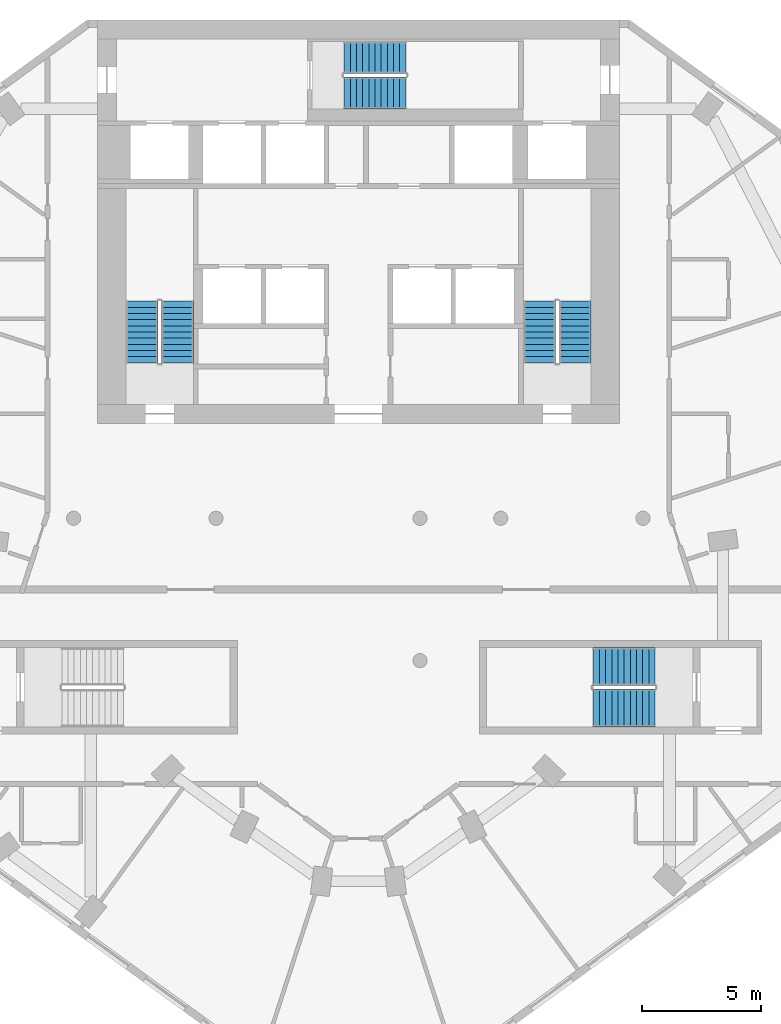
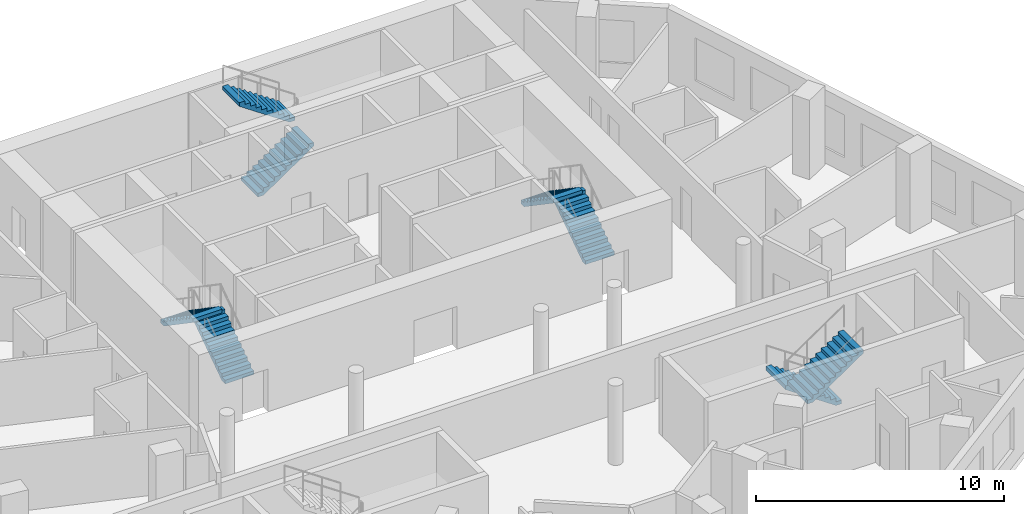
# One storey, part 7 of 9: 8 stair flights, 4 elements without a shape of their own.
"""IFC4 building model written with IfcOpenShell, lengths in metres."""

from ifc_helpers import new_model, si_unit, direction, frame, origin, place, context, subcontext, project, spatial, polyline, outline, extrude, material, layer, layer_set, type_object, element, aggregate, save


model = new_model("IFC4")

# Units and contexts
model_context = context("Model", 3, precision=1e-05, world=origin(), true_north=direction((0.0, 1.0)))
body_context = subcontext(model_context, "Body", "Model", "MODEL_VIEW")
ifc_project = project(units=[si_unit("LENGTHUNIT", "METRE"), si_unit("AREAUNIT", "SQUARE_METRE"), si_unit("VOLUMEUNIT", "CUBIC_METRE"), si_unit("PLANEANGLEUNIT", "RADIAN"), si_unit("MASSUNIT", "GRAM", prefix="KILO")], contexts=[model_context])

# Site, building, storey
site_placement = place(None, origin())
site = spatial("IfcSite", under=ifc_project, at=site_placement, CompositionType="ELEMENT")
building_placement = place(site_placement, origin())
building = spatial("IfcBuilding", under=site, at=building_placement, Name="White Candle Pilgrim Tower", CompositionType="ELEMENT")
storey_placement = place(building_placement, frame((0.0, 0.0, 235.5)))
storey = spatial("IfcBuildingStorey", under=building, at=storey_placement, Name="L55", CompositionType="ELEMENT", Elevation=235.5)

# Stair, stair flights
ifc_material = material(Name="Concrete C40/50", Category="concrete")
stair_type_1 = type_object("IfcStairType", Name="Exit stair 1 flight width 1350 mm", PredefinedType="HALF_TURN_STAIR", material=ifc_material)
stair_1_placement = place(storey_placement, origin())
stair_1 = element("IfcStair", 1, at=stair_1_placement, inside=storey, type_object=stair_type_1, Name="L55 stair 1", PredefinedType="NOTDEFINED")
ifc_layer = layer(ifc_material, 0.14990234375)
ifc_layer_set = layer_set([ifc_layer], Name="Stair flight Concrete C40/50")
stair_flight_type = type_object("IfcStairFlightType", Name="Stair flight Concrete C40/50", PredefinedType="STRAIGHT", material=ifc_layer_set)
stair_flight_1_placement = place(storey_placement, frame((62.375, 73.550048828125, 0.0), z_axis=(0.0, 0.0, 1.0), x_axis=(0.0, 1.0, 0.0)))
stair_flight_1 = element("IfcStairFlight", 2, at=stair_flight_1_placement, type_object=stair_flight_type, Name="ST1 flight 1", NumberOfRisers=11, NumberOfTreads=10, PredefinedType="NOTDEFINED", RiserHeight=0.177272727, TreadLength=0.26, context=body_context, shape_type="SweptSolid", body=[
    extrude(outline(polyline([(0.0, 0.0), (0.0, 0.17724609375), (0.260009765625, 0.17724609375), (0.260009765625, 0.3544921875), (0.52001953125, 0.3544921875), (0.52001953125, 0.53173828125), (0.780029296875, 0.53173828125), (0.780029296875, 0.708984375), (1.0400390625, 0.708984375), (1.0400390625, 0.886474609375), (1.300048828125, 0.886474609375), (1.300048828125, 1.063720703125), (1.56005859375, 1.063720703125), (1.56005859375, 1.240966796875), (1.820068359375, 1.240966796875), (1.820068359375, 1.418212890625), (2.080078125, 1.418212890625), (2.080078125, 1.595458984375), (2.340087890625, 1.595458984375), (2.340087890625, 1.772705078125), (2.60009765625, 1.772705078125), (2.60009765625, 1.949951171875), (2.60009765625, 1.59130859375), (0.26611328125, 0.0), (0.0, 0.0)])), frame((0.0, 0.675048828125, 0.0), z_axis=(0.0, -1.0, 0.0), x_axis=(1.0, 0.0, 0.0)), (0.0, 0.0, 1.0), 1.35009765625),
])
stair_flight_2_placement = place(storey_placement, frame((60.875, 76.14990234375, 1.949951171875), z_axis=(0.0, 0.0, 1.0), x_axis=(0.0, -1.0, 0.0)))
stair_flight_2 = element("IfcStairFlight", 3, at=stair_flight_2_placement, type_object=stair_flight_type, Name="ST1 flight 2", NumberOfRisers=11, NumberOfTreads=10, PredefinedType="NOTDEFINED", RiserHeight=0.177272727, TreadLength=0.26, context=body_context, shape_type="SweptSolid", body=[
    extrude(outline(polyline([(0.0, 0.0), (0.0, 0.17724609375), (0.260009765625, 0.17724609375), (0.260009765625, 0.3544921875), (0.52001953125, 0.3544921875), (0.52001953125, 0.53173828125), (0.780029296875, 0.53173828125), (0.780029296875, 0.708984375), (1.0400390625, 0.708984375), (1.0400390625, 0.886474609375), (1.300048828125, 0.886474609375), (1.300048828125, 1.063720703125), (1.56005859375, 1.063720703125), (1.56005859375, 1.240966796875), (1.820068359375, 1.240966796875), (1.820068359375, 1.418212890625), (2.080078125, 1.418212890625), (2.080078125, 1.595458984375), (2.340087890625, 1.595458984375), (2.340087890625, 1.772705078125), (2.60009765625, 1.772705078125), (2.60009765625, 1.949951171875), (2.60009765625, 1.59130859375), (0.26611328125, 0.0), (0.0, 0.0)])), frame((0.0, 0.675048828125, 0.0), z_axis=(0.0, -1.0, 0.0), x_axis=(1.0, 0.0, 0.0)), (0.0, 0.0, 1.0), 1.35009765625),
])
aggregate(stair_1, [stair_flight_1, stair_flight_2])

stair_type_2 = type_object("IfcStairType", Name="Exit stair 2 flight width 1350 mm", PredefinedType="HALF_TURN_STAIR", material=ifc_material)
stair_2_placement = place(storey_placement, origin())
stair_2 = element("IfcStair", 4, at=stair_2_placement, inside=storey, type_object=stair_type_2, Name="L55 stair 2", PredefinedType="NOTDEFINED")
stair_flight_3_placement = place(storey_placement, frame((79.125, 73.550048828125, 0.0), z_axis=(0.0, 0.0, 1.0), x_axis=(0.0, 1.0, 0.0)))
stair_flight_3 = element("IfcStairFlight", 5, at=stair_flight_3_placement, type_object=stair_flight_type, Name="ST2 flight 1", NumberOfRisers=11, NumberOfTreads=10, PredefinedType="NOTDEFINED", RiserHeight=0.177272727, TreadLength=0.26, context=body_context, shape_type="SweptSolid", body=[
    extrude(outline(polyline([(0.0, 0.0), (0.0, 0.17724609375), (0.260009765625, 0.17724609375), (0.260009765625, 0.3544921875), (0.52001953125, 0.3544921875), (0.52001953125, 0.53173828125), (0.780029296875, 0.53173828125), (0.780029296875, 0.708984375), (1.0400390625, 0.708984375), (1.0400390625, 0.886474609375), (1.300048828125, 0.886474609375), (1.300048828125, 1.063720703125), (1.56005859375, 1.063720703125), (1.56005859375, 1.240966796875), (1.820068359375, 1.240966796875), (1.820068359375, 1.418212890625), (2.080078125, 1.418212890625), (2.080078125, 1.595458984375), (2.340087890625, 1.595458984375), (2.340087890625, 1.772705078125), (2.60009765625, 1.772705078125), (2.60009765625, 1.949951171875), (2.60009765625, 1.59130859375), (0.26611328125, 0.0), (0.0, 0.0)])), frame((0.0, 0.675048828125, 0.0), z_axis=(0.0, -1.0, 0.0), x_axis=(1.0, 0.0, 0.0)), (0.0, 0.0, 1.0), 1.35009765625),
])
stair_flight_4_placement = place(storey_placement, frame((77.625, 76.14990234375, 1.949951171875), z_axis=(0.0, 0.0, 1.0), x_axis=(0.0, -1.0, 0.0)))
stair_flight_4 = element("IfcStairFlight", 6, at=stair_flight_4_placement, type_object=stair_flight_type, Name="ST2 flight 2", NumberOfRisers=11, NumberOfTreads=10, PredefinedType="NOTDEFINED", RiserHeight=0.177272727, TreadLength=0.26, context=body_context, shape_type="SweptSolid", body=[
    extrude(outline(polyline([(0.0, 0.0), (0.0, 0.17724609375), (0.260009765625, 0.17724609375), (0.260009765625, 0.3544921875), (0.52001953125, 0.3544921875), (0.52001953125, 0.53173828125), (0.780029296875, 0.53173828125), (0.780029296875, 0.708984375), (1.0400390625, 0.708984375), (1.0400390625, 0.886474609375), (1.300048828125, 0.886474609375), (1.300048828125, 1.063720703125), (1.56005859375, 1.063720703125), (1.56005859375, 1.240966796875), (1.820068359375, 1.240966796875), (1.820068359375, 1.418212890625), (2.080078125, 1.418212890625), (2.080078125, 1.595458984375), (2.340087890625, 1.595458984375), (2.340087890625, 1.772705078125), (2.60009765625, 1.772705078125), (2.60009765625, 1.949951171875), (2.60009765625, 1.59130859375), (0.26611328125, 0.0), (0.0, 0.0)])), frame((0.0, 0.675048828125, 0.0), z_axis=(0.0, -1.0, 0.0), x_axis=(1.0, 0.0, 0.0)), (0.0, 0.0, 1.0), 1.35009765625),
])
aggregate(stair_2, [stair_flight_3, stair_flight_4])

stair_type_3 = type_object("IfcStairType", Name="Exit stair 3 flight width 1350 mm", PredefinedType="HALF_TURN_STAIR", material=ifc_material)
stair_3_placement = place(storey_placement, origin())
stair_3 = element("IfcStair", 7, at=stair_3_placement, inside=storey, type_object=stair_type_3, Name="L55 stair 3", PredefinedType="NOTDEFINED")
stair_flight_5_placement = place(storey_placement, frame((69.39990234375, 84.925048828125, 0.0), z_axis=(0.0, 0.0, 1.0), x_axis=(1.0, 0.0, 0.0)))
stair_flight_5 = element("IfcStairFlight", 8, at=stair_flight_5_placement, type_object=stair_flight_type, Name="ST3 flight 1", NumberOfRisers=11, NumberOfTreads=10, PredefinedType="NOTDEFINED", RiserHeight=0.177272727, TreadLength=0.26, context=body_context, shape_type="SweptSolid", body=[
    extrude(outline(polyline([(0.0, 0.0), (0.0, 0.17724609375), (0.260009765625, 0.17724609375), (0.260009765625, 0.3544921875), (0.52001953125, 0.3544921875), (0.52001953125, 0.53173828125), (0.780029296875, 0.53173828125), (0.780029296875, 0.708984375), (1.0400390625, 0.708984375), (1.0400390625, 0.886474609375), (1.300048828125, 0.886474609375), (1.300048828125, 1.063720703125), (1.56005859375, 1.063720703125), (1.56005859375, 1.240966796875), (1.820068359375, 1.240966796875), (1.820068359375, 1.418212890625), (2.080078125, 1.418212890625), (2.080078125, 1.595458984375), (2.340087890625, 1.595458984375), (2.340087890625, 1.772705078125), (2.60009765625, 1.772705078125), (2.60009765625, 1.949951171875), (2.60009765625, 1.59130859375), (0.26611328125, 0.0), (0.0, 0.0)])), frame((0.0, 0.675048828125, 0.0), z_axis=(0.0, -1.0, 0.0), x_axis=(1.0, 0.0, 0.0)), (0.0, 0.0, 1.0), 1.35009765625),
])
stair_flight_6_placement = place(storey_placement, frame((72.0, 86.425048828125, 1.949951171875), z_axis=(0.0, 0.0, 1.0), x_axis=(-1.0, 0.0, 0.0)))
stair_flight_6 = element("IfcStairFlight", 9, at=stair_flight_6_placement, type_object=stair_flight_type, Name="ST3 flight 2", NumberOfRisers=11, NumberOfTreads=10, PredefinedType="NOTDEFINED", RiserHeight=0.177272727, TreadLength=0.26, context=body_context, shape_type="SweptSolid", body=[
    extrude(outline(polyline([(0.0, 0.0), (0.0, 0.17724609375), (0.260009765625, 0.17724609375), (0.260009765625, 0.3544921875), (0.52001953125, 0.3544921875), (0.52001953125, 0.53173828125), (0.780029296875, 0.53173828125), (0.780029296875, 0.708984375), (1.0400390625, 0.708984375), (1.0400390625, 0.886474609375), (1.300048828125, 0.886474609375), (1.300048828125, 1.063720703125), (1.56005859375, 1.063720703125), (1.56005859375, 1.240966796875), (1.820068359375, 1.240966796875), (1.820068359375, 1.418212890625), (2.080078125, 1.418212890625), (2.080078125, 1.595458984375), (2.340087890625, 1.595458984375), (2.340087890625, 1.772705078125), (2.60009765625, 1.772705078125), (2.60009765625, 1.949951171875), (2.60009765625, 1.59130859375), (0.26611328125, 0.0), (0.0, 0.0)])), frame((0.0, 0.675048828125, 0.0), z_axis=(0.0, -1.0, 0.0), x_axis=(1.0, 0.0, 0.0)), (0.0, 0.0, 1.0), 1.35009765625),
])
aggregate(stair_3, [stair_flight_5, stair_flight_6])

stair_type_4 = type_object("IfcStairType", Name="Exit stair 4 flight width 1600 mm", PredefinedType="HALF_TURN_STAIR", material=ifc_material)
stair_4_placement = place(storey_placement, origin())
stair_4 = element("IfcStair", 10, at=stair_4_placement, inside=storey, type_object=stair_type_4, Name="L55 stair 4", PredefinedType="NOTDEFINED")
stair_flight_7_placement = place(storey_placement, frame((82.5, 60.75, 0.0), z_axis=(0.0, 0.0, 1.0), x_axis=(-1.0, 0.0, 0.0)))
stair_flight_7 = element("IfcStairFlight", 11, at=stair_flight_7_placement, type_object=stair_flight_type, Name="ST4 flight 1", NumberOfRisers=11, NumberOfTreads=10, PredefinedType="NOTDEFINED", RiserHeight=0.177272727, TreadLength=0.26, context=body_context, shape_type="SweptSolid", body=[
    extrude(outline(polyline([(0.0, 0.0), (0.0, 0.17724609375), (0.260009765625, 0.17724609375), (0.260009765625, 0.3544921875), (0.52001953125, 0.3544921875), (0.52001953125, 0.53173828125), (0.780029296875, 0.53173828125), (0.780029296875, 0.708984375), (1.0400390625, 0.708984375), (1.0400390625, 0.886474609375), (1.300048828125, 0.886474609375), (1.300048828125, 1.063720703125), (1.56005859375, 1.063720703125), (1.56005859375, 1.240966796875), (1.820068359375, 1.240966796875), (1.820068359375, 1.418212890625), (2.080078125, 1.418212890625), (2.080078125, 1.595458984375), (2.340087890625, 1.595458984375), (2.340087890625, 1.772705078125), (2.60009765625, 1.772705078125), (2.60009765625, 1.949951171875), (2.60009765625, 1.59130859375), (0.26611328125, 0.0), (0.0, 0.0)])), frame((0.0, 0.800048828125, 0.0), z_axis=(0.0, -1.0, 0.0), x_axis=(1.0, 0.0, 0.0)), (0.0, 0.0, 1.0), 1.60009765625),
])
stair_flight_8_placement = place(storey_placement, frame((79.89990234375, 59.0, 1.949951171875), z_axis=(0.0, 0.0, 1.0), x_axis=(1.0, 0.0, 0.0)))
stair_flight_8 = element("IfcStairFlight", 12, at=stair_flight_8_placement, type_object=stair_flight_type, Name="ST4 flight 2", NumberOfRisers=11, NumberOfTreads=10, PredefinedType="NOTDEFINED", RiserHeight=0.177272727, TreadLength=0.26, context=body_context, shape_type="SweptSolid", body=[
    extrude(outline(polyline([(0.0, 0.0), (0.0, 0.17724609375), (0.260009765625, 0.17724609375), (0.260009765625, 0.3544921875), (0.52001953125, 0.3544921875), (0.52001953125, 0.53173828125), (0.780029296875, 0.53173828125), (0.780029296875, 0.708984375), (1.0400390625, 0.708984375), (1.0400390625, 0.886474609375), (1.300048828125, 0.886474609375), (1.300048828125, 1.063720703125), (1.56005859375, 1.063720703125), (1.56005859375, 1.240966796875), (1.820068359375, 1.240966796875), (1.820068359375, 1.418212890625), (2.080078125, 1.418212890625), (2.080078125, 1.595458984375), (2.340087890625, 1.595458984375), (2.340087890625, 1.772705078125), (2.60009765625, 1.772705078125), (2.60009765625, 1.949951171875), (2.60009765625, 1.59130859375), (0.26611328125, 0.0), (0.0, 0.0)])), frame((0.0, 0.800048828125, 0.0), z_axis=(0.0, -1.0, 0.0), x_axis=(1.0, 0.0, 0.0)), (0.0, 0.0, 1.0), 1.60009765625),
])
aggregate(stair_4, [stair_flight_7, stair_flight_8])

save(model, "model.ifc")
